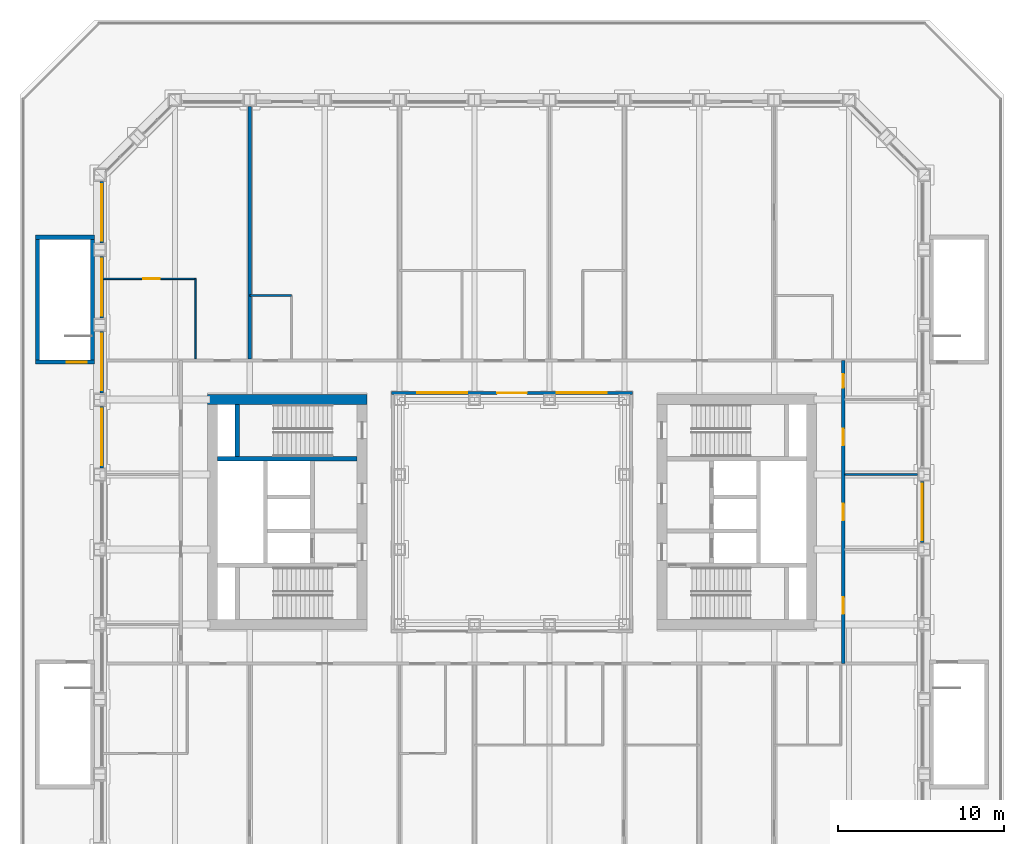
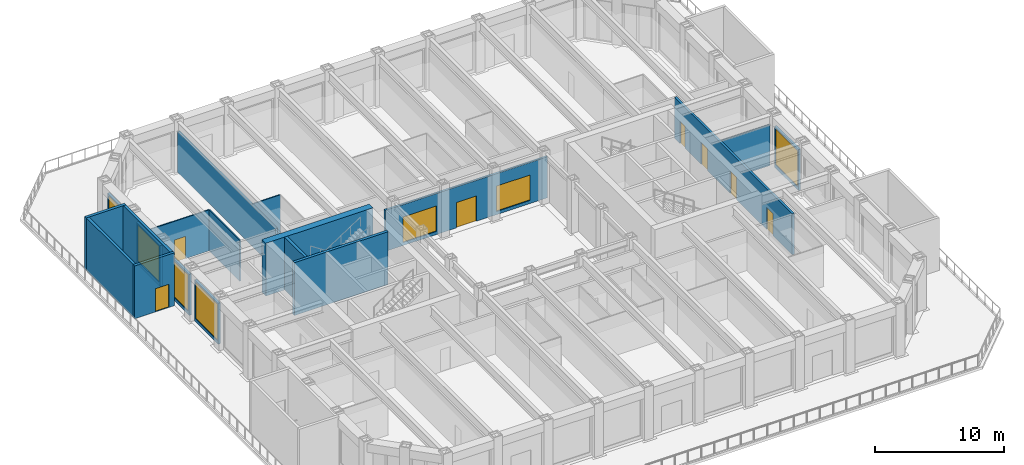
# One storey, part 12 of 18: 19 walls, 7 doors, 7 windows, 14 openings.
"""IFC4 building model written with IfcOpenShell, lengths in metres."""

from ifc_helpers import new_model, si_unit, direction, frame, frame_2d, origin, place, context, subcontext, project, spatial, rectangle, extrude, material, layer, layer_set, type_object, element, fill, save


model = new_model("IFC4")

# Units and contexts
model_context = context("Model", 3, precision=1e-05, world=origin(), true_north=direction((0.0, 1.0)))
body_context = subcontext(model_context, "Body", "Model", "MODEL_VIEW")
ifc_project = project(units=[si_unit("LENGTHUNIT", "METRE"), si_unit("AREAUNIT", "SQUARE_METRE"), si_unit("VOLUMEUNIT", "CUBIC_METRE"), si_unit("PLANEANGLEUNIT", "RADIAN"), si_unit("MASSUNIT", "GRAM", prefix="KILO")], contexts=[model_context])

# Site, building, storey
site_placement = place(None, origin())
site = spatial("IfcSite", under=ifc_project, at=site_placement, CompositionType="ELEMENT")
building_placement = place(site_placement, origin())
building = spatial("IfcBuilding", under=site, at=building_placement, Name="Msasa Ring Tower", CompositionType="ELEMENT")
storey_placement = place(building_placement, frame((0.0, 0.0, 21.5)))
storey = spatial("IfcBuildingStorey", under=building, at=storey_placement, Name="L04", CompositionType="ELEMENT", Elevation=21.5)

# Walls
ifc_material_1 = material(Name="Concrete C60/75", Category="concrete")
ifc_layer_1 = layer(ifc_material_1, 0.60009765625)
ifc_layer_set_1 = layer_set([ifc_layer_1], Name="CW1 CORE WALL 600")
wall_type_1 = type_object("IfcWallType", Name="CW1 CORE WALL 600", PredefinedType="SHEAR", material=ifc_layer_set_1)
wall_1_placement = place(storey_placement, frame((-8.699951171875, 6.75, 0.0), z_axis=(0.0, 0.0, 1.0), x_axis=(-1.0, 0.0, 0.0)))
element("IfcWall", 1, at=wall_1_placement, inside=storey, type_object=wall_type_1, Name="W core wall N L04", PredefinedType="SHEAR", context=body_context, shape_type="SweptSolid", body=[
    extrude(rectangle(XDim=9.60009765625, YDim=0.60009765625, at=frame_2d((4.800048828125, 0.0))), origin(), (0.0, 0.0, 1.0), 5.0),
])
ifc_material_2 = material(Name="Concrete C60/75", Category="concrete")
ifc_layer_2 = layer(ifc_material_2, 0.25)
ifc_layer_set_2 = layer_set([ifc_layer_2], Name="CW4 CORE INNER WALL 250")
wall_type_2 = type_object("IfcWallType", Name="CW4 CORE INNER WALL 250", PredefinedType="SHEAR", material=ifc_layer_set_2)
wall_2_placement = place(storey_placement, frame((-9.300048828125, 3.199951171875, 0.0), z_axis=(0.0, 0.0, 1.0), x_axis=(-1.0, 0.0, 0.0)))
element("IfcWall", 2, at=wall_2_placement, inside=storey, type_object=wall_type_2, Name="W core wall STAIRB L04", PredefinedType="SHEAR", context=body_context, shape_type="SweptSolid", body=[
    extrude(rectangle(XDim=8.39990234375, YDim=0.25, at=frame_2d((4.199951171875, 0.0))), origin(), (0.0, 0.0, 1.0), 5.0),
])
wall_3_placement = place(storey_placement, frame((-16.5, 3.324951171875, 0.0), z_axis=(0.0, 0.0, 1.0), x_axis=(0.0, 1.0, 0.0)))
element("IfcWall", 3, at=wall_3_placement, inside=storey, type_object=wall_type_2, Name="W core wall RISERB L04", PredefinedType="SHEAR", context=body_context, shape_type="SweptSolid", body=[
    extrude(rectangle(XDim=3.125, YDim=0.25, at=frame_2d((1.5625, 0.0))), origin(), (0.0, 0.0, 1.0), 5.0),
])

# Wall, opening, window
ifc_material_3 = material(Name="Terracotta rainscreen on blockwork", Category="masonry")
ifc_layer_3 = layer(ifc_material_3, 0.199951171875)
ifc_layer_set_3 = layer_set([ifc_layer_3], Name="FW1 TERRACOTTA-LINED INFILL BAY WALL 200")
wall_type_3 = type_object("IfcWallType", Name="FW1 TERRACOTTA-LINED INFILL BAY WALL 200", PredefinedType="SOLIDWALL", material=ifc_layer_set_3)
wall_4_placement = place(storey_placement, frame((24.64990234375, -1.844970703125, 0.0), z_axis=(0.0, 0.0, 1.0), x_axis=(0.0, 1.0, 0.0)))
wall_4 = element("IfcWall", 4, at=wall_4_placement, inside=storey, type_object=wall_type_3, Name="Infill bay wall E L04 15", PredefinedType="SOLIDWALL", context=body_context, shape_type="SweptSolid", body=[
    extrude(rectangle(XDim=3.68994140625, YDim=0.199951171875, at=frame_2d((1.844970703125, 0.0))), origin(), (0.0, 0.0, 1.0), 3.87890625),
])
opening_1_placement = place(wall_4_placement, frame((0.14501953125, 0.0, 0.300048828125)))
opening_1 = element("IfcOpeningElement", 5, at=opening_1_placement, cuts=wall_4, Name="Opening WN4", PredefinedType="OPENING", context=body_context, shape_type="SweptSolid", body=[
    extrude(rectangle(XDim=3.39990234375, YDim=3.428955078125, at=frame_2d((1.699951171875, 1.71435546875))), frame((0.0, 0.10986328125, 0.0), z_axis=(0.0, -1.0, 0.0), x_axis=(1.0, 0.0, 0.0)), (0.0, 0.0, 1.0), 0.219970703125),
])
ifc_material_4 = material(Name="Aluminium frame with clear glass", Category="aluminium")
window_type_1 = type_object("IfcWindowType", Name="WN4 AMENITY WINDOW 3400x3429", PartitioningType="SINGLE_PANEL", PredefinedType="WINDOW", material=ifc_material_4)
window_1_placement = place(opening_1_placement, origin())
window_1 = element("IfcWindow", 6, at=window_1_placement, inside=storey, type_object=window_type_1, Name="Window E L04 15", OverallHeight=3.428955078125, OverallWidth=3.39990234375, PartitioningType="SINGLE_PANEL", PredefinedType="WINDOW", context=body_context, shape_type="SweptSolid", body=[
    extrude(rectangle(XDim=3.39990234375, YDim=3.428955078125, at=frame_2d((1.699951171875, 1.71435546875))), frame((0.0, 0.030029296875, 0.0), z_axis=(0.0, -1.0, 0.0), x_axis=(1.0, 0.0, 0.0)), (0.0, 0.0, 1.0), 0.06005859375),
])
fill(opening_1, window_1)

wall_5_placement = place(storey_placement, frame((-24.64990234375, 2.655029296875, 0.0), z_axis=(0.0, 0.0, 1.0), x_axis=(0.0, 1.0, 0.0)))
wall_5 = element("IfcWall", 7, at=wall_5_placement, inside=storey, type_object=wall_type_3, Name="Infill bay wall W L04 38", PredefinedType="SOLIDWALL", context=body_context, shape_type="SweptSolid", body=[
    extrude(rectangle(XDim=3.68994140625, YDim=0.199951171875, at=frame_2d((1.844970703125, 0.0))), origin(), (0.0, 0.0, 1.0), 3.87890625),
])
opening_2_placement = place(wall_5_placement, frame((0.14501953125, 0.0, 0.300048828125)))
opening_2 = element("IfcOpeningElement", 8, at=opening_2_placement, cuts=wall_5, Name="Opening WN4", PredefinedType="OPENING", context=body_context, shape_type="SweptSolid", body=[
    extrude(rectangle(XDim=3.39990234375, YDim=3.428955078125, at=frame_2d((1.699951171875, 1.71435546875))), frame((0.0, 0.10986328125, 0.0), z_axis=(0.0, -1.0, 0.0), x_axis=(1.0, 0.0, 0.0)), (0.0, 0.0, 1.0), 0.219970703125),
])
window_2_placement = place(opening_2_placement, origin())
window_2 = element("IfcWindow", 9, at=window_2_placement, inside=storey, type_object=window_type_1, Name="Window W L04 38", OverallHeight=3.428955078125, OverallWidth=3.39990234375, PartitioningType="SINGLE_PANEL", PredefinedType="WINDOW", context=body_context, shape_type="SweptSolid", body=[
    extrude(rectangle(XDim=3.39990234375, YDim=3.428955078125, at=frame_2d((1.699951171875, 1.71435546875))), frame((0.0, 0.030029296875, 0.0), z_axis=(0.0, -1.0, 0.0), x_axis=(1.0, 0.0, 0.0)), (0.0, 0.0, 1.0), 0.06005859375),
])
fill(opening_2, window_2)

wall_6_placement = place(storey_placement, frame((-24.64990234375, 7.155029296875, 0.0), z_axis=(0.0, 0.0, 1.0), x_axis=(0.0, 1.0, 0.0)))
wall_6 = element("IfcWall", 10, at=wall_6_placement, inside=storey, type_object=wall_type_3, Name="Infill bay wall W L04 39", PredefinedType="SOLIDWALL", context=body_context, shape_type="SweptSolid", body=[
    extrude(rectangle(XDim=3.68994140625, YDim=0.199951171875, at=frame_2d((1.844970703125, 0.0))), origin(), (0.0, 0.0, 1.0), 3.87890625),
])
opening_3_placement = place(wall_6_placement, frame((0.14501953125, 0.0, 0.300048828125)))
opening_3 = element("IfcOpeningElement", 11, at=opening_3_placement, cuts=wall_6, Name="Opening WN4", PredefinedType="OPENING", context=body_context, shape_type="SweptSolid", body=[
    extrude(rectangle(XDim=3.39990234375, YDim=3.428955078125, at=frame_2d((1.699951171875, 1.71435546875))), frame((0.0, 0.10986328125, 0.0), z_axis=(0.0, -1.0, 0.0), x_axis=(1.0, 0.0, 0.0)), (0.0, 0.0, 1.0), 0.219970703125),
])
window_3_placement = place(opening_3_placement, origin())
window_3 = element("IfcWindow", 12, at=window_3_placement, inside=storey, type_object=window_type_1, Name="Window W L04 39", OverallHeight=3.428955078125, OverallWidth=3.39990234375, PartitioningType="SINGLE_PANEL", PredefinedType="WINDOW", context=body_context, shape_type="SweptSolid", body=[
    extrude(rectangle(XDim=3.39990234375, YDim=3.428955078125, at=frame_2d((1.699951171875, 1.71435546875))), frame((0.0, 0.030029296875, 0.0), z_axis=(0.0, -1.0, 0.0), x_axis=(1.0, 0.0, 0.0)), (0.0, 0.0, 1.0), 0.06005859375),
])
fill(opening_3, window_3)

wall_7_placement = place(storey_placement, frame((-24.64990234375, 11.655029296875, 0.0), z_axis=(0.0, 0.0, 1.0), x_axis=(0.0, 1.0, 0.0)))
wall_7 = element("IfcWall", 13, at=wall_7_placement, inside=storey, type_object=wall_type_3, Name="Infill bay wall W L04 40", PredefinedType="SOLIDWALL", context=body_context, shape_type="SweptSolid", body=[
    extrude(rectangle(XDim=3.68994140625, YDim=0.199951171875, at=frame_2d((1.844970703125, 0.0))), origin(), (0.0, 0.0, 1.0), 3.87890625),
])
opening_4_placement = place(wall_7_placement, frame((0.14501953125, 0.0, 0.300048828125)))
opening_4 = element("IfcOpeningElement", 14, at=opening_4_placement, cuts=wall_7, Name="Opening WN4", PredefinedType="OPENING", context=body_context, shape_type="SweptSolid", body=[
    extrude(rectangle(XDim=3.39990234375, YDim=3.428955078125, at=frame_2d((1.699951171875, 1.71435546875))), frame((0.0, 0.10986328125, 0.0), z_axis=(0.0, -1.0, 0.0), x_axis=(1.0, 0.0, 0.0)), (0.0, 0.0, 1.0), 0.219970703125),
])
window_4_placement = place(opening_4_placement, origin())
window_4 = element("IfcWindow", 15, at=window_4_placement, inside=storey, type_object=window_type_1, Name="Window W L04 40", OverallHeight=3.428955078125, OverallWidth=3.39990234375, PartitioningType="SINGLE_PANEL", PredefinedType="WINDOW", context=body_context, shape_type="SweptSolid", body=[
    extrude(rectangle(XDim=3.39990234375, YDim=3.428955078125, at=frame_2d((1.699951171875, 1.71435546875))), frame((0.0, 0.030029296875, 0.0), z_axis=(0.0, -1.0, 0.0), x_axis=(1.0, 0.0, 0.0)), (0.0, 0.0, 1.0), 0.06005859375),
])
fill(opening_4, window_4)

wall_8_placement = place(storey_placement, frame((-24.64990234375, 16.155029296875, 0.0), z_axis=(0.0, 0.0, 1.0), x_axis=(0.0, 1.0, 0.0)))
wall_8 = element("IfcWall", 16, at=wall_8_placement, inside=storey, type_object=wall_type_3, Name="Infill bay wall W L04 41", PredefinedType="SOLIDWALL", context=body_context, shape_type="SweptSolid", body=[
    extrude(rectangle(XDim=3.68994140625, YDim=0.199951171875, at=frame_2d((1.844970703125, 0.0))), origin(), (0.0, 0.0, 1.0), 3.87890625),
])
opening_5_placement = place(wall_8_placement, frame((0.14501953125, 0.0, 0.300048828125)))
opening_5 = element("IfcOpeningElement", 17, at=opening_5_placement, cuts=wall_8, Name="Opening WN4", PredefinedType="OPENING", context=body_context, shape_type="SweptSolid", body=[
    extrude(rectangle(XDim=3.39990234375, YDim=3.428955078125, at=frame_2d((1.699951171875, 1.71435546875))), frame((0.0, 0.10986328125, 0.0), z_axis=(0.0, -1.0, 0.0), x_axis=(1.0, 0.0, 0.0)), (0.0, 0.0, 1.0), 0.219970703125),
])
window_5_placement = place(opening_5_placement, origin())
window_5 = element("IfcWindow", 18, at=window_5_placement, inside=storey, type_object=window_type_1, Name="Window W L04 41", OverallHeight=3.428955078125, OverallWidth=3.39990234375, PartitioningType="SINGLE_PANEL", PredefinedType="WINDOW", context=body_context, shape_type="SweptSolid", body=[
    extrude(rectangle(XDim=3.39990234375, YDim=3.428955078125, at=frame_2d((1.699951171875, 1.71435546875))), frame((0.0, 0.030029296875, 0.0), z_axis=(0.0, -1.0, 0.0), x_axis=(1.0, 0.0, 0.0)), (0.0, 0.0, 1.0), 0.06005859375),
])
fill(opening_5, window_5)

# Wall, openings, door, windows
ifc_material_5 = material(Name="Terracotta rainscreen on blockwork", Category="masonry")
ifc_layer_4 = layer(ifc_material_5, 0.199951171875)
ifc_layer_set_4 = layer_set([ifc_layer_4], Name="FW4 LIGHT WELL WALL 200")
wall_type_4 = type_object("IfcWallType", Name="FW4 LIGHT WELL WALL 200", PredefinedType="SOLIDWALL", material=ifc_layer_set_4)
wall_9_placement = place(storey_placement, frame((-7.25, 7.14990234375, 0.0), z_axis=(0.0, 0.0, 1.0), x_axis=(1.0, 0.0, 0.0)))
wall_9 = element("IfcWall", 19, at=wall_9_placement, inside=storey, type_object=wall_type_4, Name="Light well wall N L04", PredefinedType="SOLIDWALL", context=body_context, shape_type="SweptSolid", body=[
    extrude(rectangle(XDim=14.5, YDim=0.199951171875, at=frame_2d((7.25, 0.0))), origin(), (0.0, 0.0, 1.0), 3.873291015625),
])
opening_6_placement = place(wall_9_placement, frame((6.35009765625, 0.0, 0.0)))
opening_6 = element("IfcOpeningElement", 20, at=opening_6_placement, cuts=wall_9, Name="Opening L04-019", PredefinedType="OPENING", context=body_context, shape_type="SweptSolid", body=[
    extrude(rectangle(XDim=1.800048828125, YDim=2.39990234375, at=frame_2d((0.89990234375, 1.199951171875))), frame((0.0, 0.10986328125, 0.0), z_axis=(0.0, -1.0, 0.0), x_axis=(1.0, 0.0, 0.0)), (0.0, 0.0, 1.0), 0.219970703125),
])
opening_7_placement = place(wall_9_placement, frame((1.550048828125, 0.0, 0.300048828125)))
opening_7 = element("IfcOpeningElement", 21, at=opening_7_placement, cuts=wall_9, Name="Opening WN5", PredefinedType="OPENING", context=body_context, shape_type="SweptSolid", body=[
    extrude(rectangle(XDim=3.0, YDim=2.39990234375, at=frame_2d((1.5, 1.199951171875))), frame((0.0, 0.10986328125, 0.0), z_axis=(0.0, -1.0, 0.0), x_axis=(1.0, 0.0, 0.0)), (0.0, 0.0, 1.0), 0.219970703125),
])
opening_8_placement = place(wall_9_placement, frame((9.949951171875, 0.0, 0.300048828125)))
opening_8 = element("IfcOpeningElement", 22, at=opening_8_placement, cuts=wall_9, Name="Opening WN5", PredefinedType="OPENING", context=body_context, shape_type="SweptSolid", body=[
    extrude(rectangle(XDim=3.0, YDim=2.39990234375, at=frame_2d((1.5, 1.199951171875))), frame((0.0, 0.10986328125, 0.0), z_axis=(0.0, -1.0, 0.0), x_axis=(1.0, 0.0, 0.0)), (0.0, 0.0, 1.0), 0.219970703125),
])
ifc_material_6 = material(Name="Aluminium frame with clear glass", Category="aluminium")
door_type_1 = type_object("IfcDoorType", Name="ED3 COURTYARD DOOR 1800x2400", OperationType="DOUBLE_DOOR_SINGLE_SWING", PredefinedType="DOOR", material=ifc_material_6)
door_1_placement = place(opening_6_placement, origin())
door_1 = element("IfcDoor", 23, at=door_1_placement, inside=storey, type_object=door_type_1, Name="Courtyard door N L04", OperationType="DOUBLE_DOOR_SINGLE_SWING", OverallHeight=2.39990234375, OverallWidth=1.800048828125, PredefinedType="DOOR", context=body_context, shape_type="SweptSolid", body=[
    extrude(rectangle(XDim=1.800048828125, YDim=2.39990234375, at=frame_2d((0.89990234375, 1.199951171875))), frame((0.0, 0.02490234375, 0.0), z_axis=(0.0, -1.0, 0.0), x_axis=(1.0, 0.0, 0.0)), (0.0, 0.0, 1.0), 0.050048828125),
])
fill(opening_6, door_1)
ifc_material_7 = material(Name="Aluminium frame with clear glass", Category="aluminium")
window_type_2 = type_object("IfcWindowType", Name="WN5 COURTYARD WINDOW 3000x2400", PartitioningType="SINGLE_PANEL", PredefinedType="WINDOW", material=ifc_material_7)
window_6_placement = place(opening_7_placement, origin())
window_6 = element("IfcWindow", 24, at=window_6_placement, inside=storey, type_object=window_type_2, Name="Courtyard window N L04", OverallHeight=2.39990234375, OverallWidth=3.0, PartitioningType="SINGLE_PANEL", PredefinedType="WINDOW", context=body_context, shape_type="SweptSolid", body=[
    extrude(rectangle(XDim=3.0, YDim=2.39990234375, at=frame_2d((1.5, 1.199951171875))), frame((0.0, 0.030029296875, 0.0), z_axis=(0.0, -1.0, 0.0), x_axis=(1.0, 0.0, 0.0)), (0.0, 0.0, 1.0), 0.06005859375),
])
fill(opening_7, window_6)
window_7_placement = place(opening_8_placement, origin())
window_7 = element("IfcWindow", 25, at=window_7_placement, inside=storey, type_object=window_type_2, Name="Courtyard window N L04", OverallHeight=2.39990234375, OverallWidth=3.0, PartitioningType="SINGLE_PANEL", PredefinedType="WINDOW", context=body_context, shape_type="SweptSolid", body=[
    extrude(rectangle(XDim=3.0, YDim=2.39990234375, at=frame_2d((1.5, 1.199951171875))), frame((0.0, 0.030029296875, 0.0), z_axis=(0.0, -1.0, 0.0), x_axis=(1.0, 0.0, 0.0)), (0.0, 0.0, 1.0), 0.06005859375),
])
fill(opening_8, window_7)

# Wall, openings, doors
ifc_material_8 = material(Name="Concrete blockwork", Category="masonry")
ifc_layer_5 = layer(ifc_material_8, 0.199951171875)
ifc_layer_set_5 = layer_set([ifc_layer_5], Name="PT1 CORRIDOR WALL 200")
wall_type_5 = type_object("IfcWallType", Name="PT1 CORRIDOR WALL 200", PredefinedType="PARTITIONING", material=ifc_layer_set_5)
wall_10_placement = place(storey_placement, frame((19.89990234375, -9.10009765625, 0.0), z_axis=(0.0, 0.0, 1.0), x_axis=(0.0, 1.0, 0.0)))
wall_10 = element("IfcWall", 26, at=wall_10_placement, inside=storey, type_object=wall_type_5, Name="Corridor wall L04-STRE", PredefinedType="PARTITIONING", context=body_context, shape_type="SweptSolid", body=[
    extrude(rectangle(XDim=18.2001953125, YDim=0.199951171875, at=frame_2d((9.10009765625, 0.0))), origin(), (0.0, 0.0, 1.0), 3.873291015625),
])
opening_9_placement = place(wall_10_placement, frame((2.97509765625, 0.0, 0.0)))
opening_9 = element("IfcOpeningElement", 27, at=opening_9_placement, cuts=wall_10, Name="Opening L04-032", PredefinedType="OPENING", context=body_context, shape_type="SweptSolid", body=[
    extrude(rectangle(XDim=1.0, YDim=2.10009765625, at=frame_2d((0.5, 1.050048828125))), frame((0.0, 0.10986328125, 0.0), z_axis=(0.0, -1.0, 0.0), x_axis=(1.0, 0.0, 0.0)), (0.0, 0.0, 1.0), 0.219970703125),
])
opening_10_placement = place(wall_10_placement, frame((8.60009765625, 0.0, 0.0)))
opening_10 = element("IfcOpeningElement", 28, at=opening_10_placement, cuts=wall_10, Name="Opening L04-026", PredefinedType="OPENING", context=body_context, shape_type="SweptSolid", body=[
    extrude(rectangle(XDim=1.0, YDim=2.10009765625, at=frame_2d((0.5, 1.050048828125))), frame((0.0, 0.10986328125, 0.0), z_axis=(0.0, -1.0, 0.0), x_axis=(1.0, 0.0, 0.0)), (0.0, 0.0, 1.0), 0.219970703125),
])
opening_11_placement = place(wall_10_placement, frame((13.10009765625, 0.0, 0.0)))
opening_11 = element("IfcOpeningElement", 29, at=opening_11_placement, cuts=wall_10, Name="Opening L04-023", PredefinedType="OPENING", context=body_context, shape_type="SweptSolid", body=[
    extrude(rectangle(XDim=1.0, YDim=2.10009765625, at=frame_2d((0.5, 1.050048828125))), frame((0.0, 0.10986328125, 0.0), z_axis=(0.0, -1.0, 0.0), x_axis=(1.0, 0.0, 0.0)), (0.0, 0.0, 1.0), 0.219970703125),
])
opening_12_placement = place(wall_10_placement, frame((16.574951171875, 0.0, 0.0)))
opening_12 = element("IfcOpeningElement", 30, at=opening_12_placement, cuts=wall_10, Name="Opening L04-018", PredefinedType="OPENING", context=body_context, shape_type="SweptSolid", body=[
    extrude(rectangle(XDim=0.800048828125, YDim=2.10009765625, at=frame_2d((0.39990234375, 1.050048828125))), frame((0.0, 0.10986328125, 0.0), z_axis=(0.0, -1.0, 0.0), x_axis=(1.0, 0.0, 0.0)), (0.0, 0.0, 1.0), 0.219970703125),
])
ifc_material_9 = material(Name="Timber door leaf in a steel frame", Category="steel")
door_type_2 = type_object("IfcDoorType", Name="D11 NARROW STORE DOOR 800x2100", OperationType="SINGLE_SWING_LEFT", PredefinedType="DOOR", material=ifc_material_9)
door_2_placement = place(opening_12_placement, origin())
door_2 = element("IfcDoor", 31, at=door_2_placement, inside=storey, type_object=door_type_2, Name="Door L04-WCE3", OperationType="SINGLE_SWING_RIGHT", OverallHeight=2.10009765625, OverallWidth=0.800048828125, PredefinedType="DOOR", context=body_context, shape_type="SweptSolid", body=[
    extrude(rectangle(XDim=0.800048828125, YDim=2.10009765625, at=frame_2d((0.39990234375, 1.050048828125))), frame((0.0, 0.02490234375, 0.0), z_axis=(0.0, -1.0, 0.0), x_axis=(1.0, 0.0, 0.0)), (0.0, 0.0, 1.0), 0.050048828125),
])
fill(opening_12, door_2)
ifc_material_10 = material(Name="Timber door leaf in a steel frame", Category="steel")
door_type_3 = type_object("IfcDoorType", Name="D12 WC DOOR 1000x2100", OperationType="SINGLE_SWING_LEFT", PredefinedType="DOOR", material=ifc_material_10)
door_3_placement = place(opening_9_placement, origin())
door_3 = element("IfcDoor", 32, at=door_3_placement, inside=storey, type_object=door_type_3, Name="Door L04-WCE0", OperationType="SINGLE_SWING_LEFT", OverallHeight=2.10009765625, OverallWidth=1.0, PredefinedType="DOOR", context=body_context, shape_type="SweptSolid", body=[
    extrude(rectangle(XDim=1.0, YDim=2.10009765625, at=frame_2d((0.5, 1.050048828125))), frame((0.0, 0.02490234375, 0.0), z_axis=(0.0, -1.0, 0.0), x_axis=(1.0, 0.0, 0.0)), (0.0, 0.0, 1.0), 0.050048828125),
])
fill(opening_9, door_3)
door_4_placement = place(opening_10_placement, origin())
door_4 = element("IfcDoor", 33, at=door_4_placement, inside=storey, type_object=door_type_3, Name="Door L04-WCE1", OperationType="SINGLE_SWING_LEFT", OverallHeight=2.10009765625, OverallWidth=1.0, PredefinedType="DOOR", context=body_context, shape_type="SweptSolid", body=[
    extrude(rectangle(XDim=1.0, YDim=2.10009765625, at=frame_2d((0.5, 1.050048828125))), frame((0.0, 0.02490234375, 0.0), z_axis=(0.0, -1.0, 0.0), x_axis=(1.0, 0.0, 0.0)), (0.0, 0.0, 1.0), 0.050048828125),
])
fill(opening_10, door_4)
door_5_placement = place(opening_11_placement, origin())
door_5 = element("IfcDoor", 34, at=door_5_placement, inside=storey, type_object=door_type_3, Name="Door L04-WCE2", OperationType="SINGLE_SWING_RIGHT", OverallHeight=2.10009765625, OverallWidth=1.0, PredefinedType="DOOR", context=body_context, shape_type="SweptSolid", body=[
    extrude(rectangle(XDim=1.0, YDim=2.10009765625, at=frame_2d((0.5, 1.050048828125))), frame((0.0, 0.02490234375, 0.0), z_axis=(0.0, -1.0, 0.0), x_axis=(1.0, 0.0, 0.0)), (0.0, 0.0, 1.0), 0.050048828125),
])
fill(opening_11, door_5)

# Wall, opening, door
ifc_material_11 = material(Name="Gypsum board on steel studs", Category="steel")
ifc_layer_6 = layer(ifc_material_11, 0.10009765625)
ifc_layer_set_6 = layer_set([ifc_layer_6], Name="PT2 STUD PARTITION 100")
wall_type_6 = type_object("IfcWallType", Name="PT2 STUD PARTITION 100", PredefinedType="PARTITIONING", material=ifc_layer_set_6)
wall_11_placement = place(storey_placement, frame((-24.550048828125, 14.0, 0.0), z_axis=(0.0, 0.0, 1.0), x_axis=(1.0, 0.0, 0.0)))
wall_11 = element("IfcWall", 35, at=wall_11_placement, inside=storey, type_object=wall_type_6, Name="Partition L04-AMN0X0", PredefinedType="PARTITIONING", context=body_context, shape_type="SweptSolid", body=[
    extrude(rectangle(XDim=5.550048828125, YDim=0.10009765625, at=frame_2d((2.77490234375, 0.0))), origin(), (0.0, 0.0, 1.0), 3.873291015625),
])
opening_13_placement = place(wall_11_placement, frame((2.39990234375, 0.0, 0.0)))
opening_13 = element("IfcOpeningElement", 36, at=opening_13_placement, cuts=wall_11, Name="Opening L04-005", PredefinedType="OPENING", context=body_context, shape_type="SweptSolid", body=[
    extrude(rectangle(XDim=1.0, YDim=2.10009765625, at=frame_2d((0.5, 1.050048828125))), frame((0.0, 0.06005859375, 0.0), z_axis=(0.0, -1.0, 0.0), x_axis=(1.0, 0.0, 0.0)), (0.0, 0.0, 1.0), 0.1201171875),
])
ifc_material_12 = material(Name="Timber door leaf in a steel frame", Category="steel")
door_type_4 = type_object("IfcDoorType", Name="D29 INTERNAL ROOM DOOR 1000x2100", OperationType="SINGLE_SWING_LEFT", PredefinedType="DOOR", material=ifc_material_12)
door_6_placement = place(opening_13_placement, origin())
door_6 = element("IfcDoor", 37, at=door_6_placement, inside=storey, type_object=door_type_4, Name="Door L04-AMN0B0", OperationType="SINGLE_SWING_RIGHT", OverallHeight=2.10009765625, OverallWidth=1.0, PredefinedType="DOOR", context=body_context, shape_type="SweptSolid", body=[
    extrude(rectangle(XDim=1.0, YDim=2.10009765625, at=frame_2d((0.5, 1.050048828125))), frame((0.0, 0.02490234375, 0.0), z_axis=(0.0, -1.0, 0.0), x_axis=(1.0, 0.0, 0.0)), (0.0, 0.0, 1.0), 0.050048828125),
])
fill(opening_13, door_6)

# Walls
wall_12_placement = place(storey_placement, frame((-19.0, 9.199951171875, 0.0), z_axis=(0.0, 0.0, 1.0), x_axis=(0.0, 1.0, 0.0)))
element("IfcWall", 38, at=wall_12_placement, inside=storey, type_object=wall_type_6, Name="Partition L04-AMN0Y0", PredefinedType="PARTITIONING", context=body_context, shape_type="SweptSolid", body=[
    extrude(rectangle(XDim=4.800048828125, YDim=0.10009765625, at=frame_2d((2.39990234375, 0.0))), origin(), (0.0, 0.0, 1.0), 3.873291015625),
])
wall_13_placement = place(storey_placement, frame((-15.75, 13.0, 0.0), z_axis=(0.0, 0.0, 1.0), x_axis=(1.0, 0.0, 0.0)))
element("IfcWall", 39, at=wall_13_placement, inside=storey, type_object=wall_type_6, Name="Partition L04-AMN1X0", PredefinedType="PARTITIONING", context=body_context, shape_type="SweptSolid", body=[
    extrude(rectangle(XDim=2.5, YDim=0.10009765625, at=frame_2d((1.25, 0.0))), origin(), (0.0, 0.0, 1.0), 3.873291015625),
])
wall_14_placement = place(storey_placement, frame((20.0, 2.25, 0.0), z_axis=(0.0, 0.0, 1.0), x_axis=(1.0, 0.0, 0.0)))
element("IfcWall", 40, at=wall_14_placement, inside=storey, type_object=wall_type_6, Name="Partition L04-WCEX1", PredefinedType="PARTITIONING", context=body_context, shape_type="SweptSolid", body=[
    extrude(rectangle(XDim=4.35009765625, YDim=0.10009765625, at=frame_2d((2.175048828125, 0.0))), origin(), (0.0, 0.0, 1.0), 3.873291015625),
])
ifc_material_13 = material(Name="Dense concrete blockwork, plastered both faces", Category="masonry")
ifc_layer_7 = layer(ifc_material_13, 0.25)
ifc_layer_set_7 = layer_set([ifc_layer_7], Name="PT3 APARTMENT SEPARATING WALL 250")
wall_type_7 = type_object("IfcWallType", Name="PT3 APARTMENT SEPARATING WALL 250", PredefinedType="PARTITIONING", material=ifc_layer_set_7)
wall_15_placement = place(storey_placement, frame((-15.75, 9.199951171875, 0.0), z_axis=(0.0, 0.0, 1.0), x_axis=(0.0, 1.0, 0.0)))
element("IfcWall", 41, at=wall_15_placement, inside=storey, type_object=wall_type_7, Name="Party wall L04-PWN-15.75", PredefinedType="PARTITIONING", context=body_context, shape_type="SweptSolid", body=[
    extrude(rectangle(XDim=15.150146484375, YDim=0.199951171875, at=frame_2d((7.5751953125, 0.0))), origin(), (0.0, 0.0, 1.0), 3.873291015625),
])

# Wall, opening, door
ifc_material_14 = material(Name="Concrete C60/75", Category="concrete")
ifc_layer_8 = layer(ifc_material_14, 0.25)
ifc_layer_set_8 = layer_set([ifc_layer_8], Name="SW1 STAIR WALL 250")
wall_type_8 = type_object("IfcWallType", Name="SW1 STAIR WALL 250", PredefinedType="SHEAR", material=ifc_layer_set_8)
wall_16_placement = place(storey_placement, frame((-28.625, 9.0, 0.0), z_axis=(0.0, 0.0, 1.0), x_axis=(1.0, 0.0, 0.0)))
wall_16 = element("IfcWall", 42, at=wall_16_placement, inside=storey, type_object=wall_type_8, Name="Podium stair WN wall S L04", PredefinedType="SHEAR", context=body_context, shape_type="SweptSolid", body=[
    extrude(rectangle(XDim=3.550048828125, YDim=0.25, at=frame_2d((1.77490234375, 0.0))), origin(), (0.0, 0.0, 1.0), 5.0),
])
opening_14_placement = place(wall_16_placement, frame((1.875, 0.0, 0.0)))
opening_14 = element("IfcOpeningElement", 43, at=opening_14_placement, cuts=wall_16, Name="Opening L04-016", PredefinedType="OPENING", context=body_context, shape_type="SweptSolid", body=[
    extrude(rectangle(XDim=1.199951171875, YDim=2.199951171875, at=frame_2d((0.60009765625, 1.10009765625))), frame((0.0, 0.135009765625, 0.0), z_axis=(0.0, -1.0, 0.0), x_axis=(1.0, 0.0, 0.0)), (0.0, 0.0, 1.0), 0.27001953125),
])
ifc_material_15 = material(Name="Aluminium frame with clear glass", Category="aluminium")
door_type_5 = type_object("IfcDoorType", Name="ED10 STAIR TERRACE DOOR 1200x2200", OperationType="SINGLE_SWING_LEFT", PredefinedType="DOOR", material=ifc_material_15)
door_7_placement = place(opening_14_placement, origin())
door_7 = element("IfcDoor", 44, at=door_7_placement, inside=storey, type_object=door_type_5, Name="Stair head-house door PWN", OperationType="SINGLE_SWING_RIGHT", OverallHeight=2.199951171875, OverallWidth=1.199951171875, PredefinedType="DOOR", context=body_context, shape_type="SweptSolid", body=[
    extrude(rectangle(XDim=1.199951171875, YDim=2.199951171875, at=frame_2d((0.60009765625, 1.10009765625))), frame((0.0, 0.02490234375, 0.0), z_axis=(0.0, -1.0, 0.0), x_axis=(1.0, 0.0, 0.0)), (0.0, 0.0, 1.0), 0.050048828125),
])
fill(opening_14, door_7)

# Walls
wall_17_placement = place(storey_placement, frame((-28.625, 16.5, 0.0), z_axis=(0.0, 0.0, 1.0), x_axis=(1.0, 0.0, 0.0)))
element("IfcWall", 45, at=wall_17_placement, inside=storey, type_object=wall_type_8, Name="Podium stair WN wall N L04", PredefinedType="SHEAR", context=body_context, shape_type="SweptSolid", body=[
    extrude(rectangle(XDim=3.550048828125, YDim=0.25, at=frame_2d((1.77490234375, 0.0))), origin(), (0.0, 0.0, 1.0), 5.0),
])
for number, where, z_axis, x_axis, name in (
    (46, (-28.5, 9.125, 0.0), (0.0, 0.0, 1.0), (0.0, 1.0, 0.0), "Podium stair WN wall W L04"),
    (47, (-25.199951171875, 9.125, 0.0), (0.0, 0.0, 1.0), (0.0, 1.0, 0.0), "Podium stair WN wall E L04"),
):
    element("IfcWall", number, at=place(storey_placement, frame(where, z_axis=z_axis, x_axis=x_axis)), inside=storey, type_object=wall_type_8, Name=name, PredefinedType="SHEAR", context=body_context, shape_type="SweptSolid", body=[
        extrude(rectangle(XDim=7.25, YDim=0.25, at=frame_2d((3.625, 0.0))), origin(), (0.0, 0.0, 1.0), 5.0),
    ])

save(model, "model.ifc")
